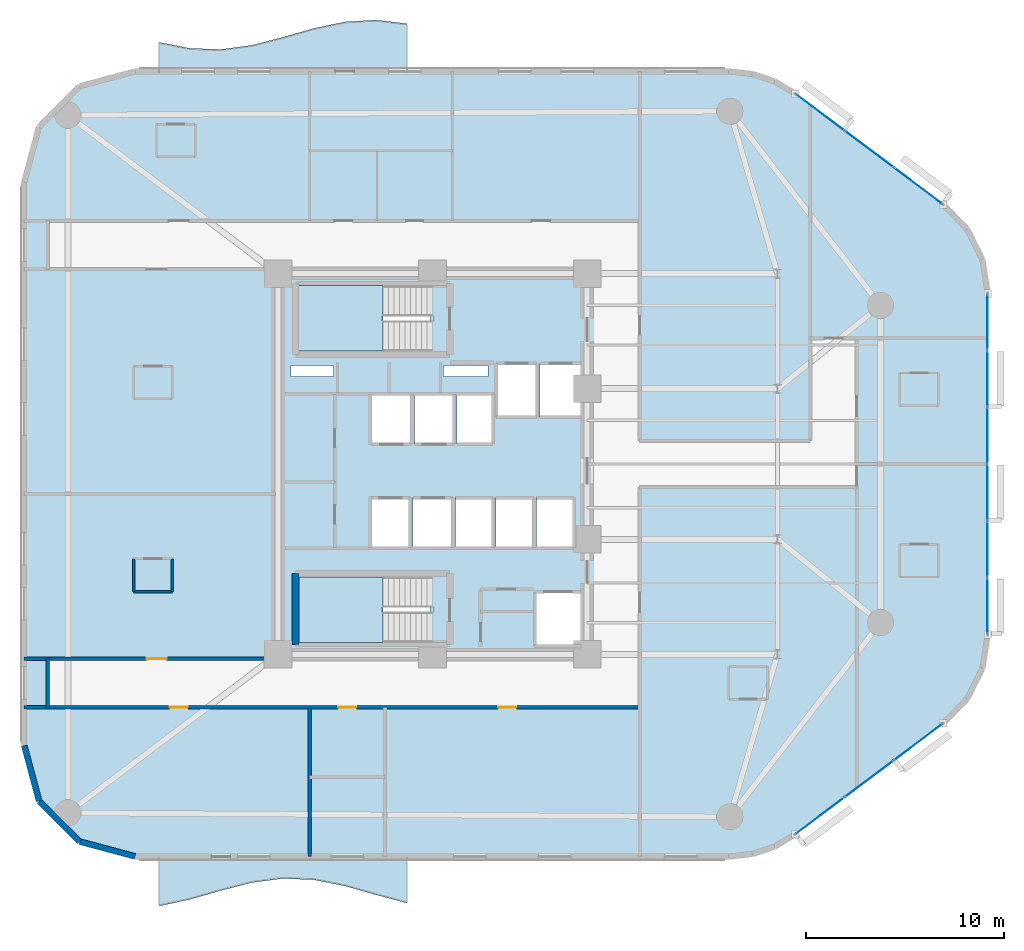
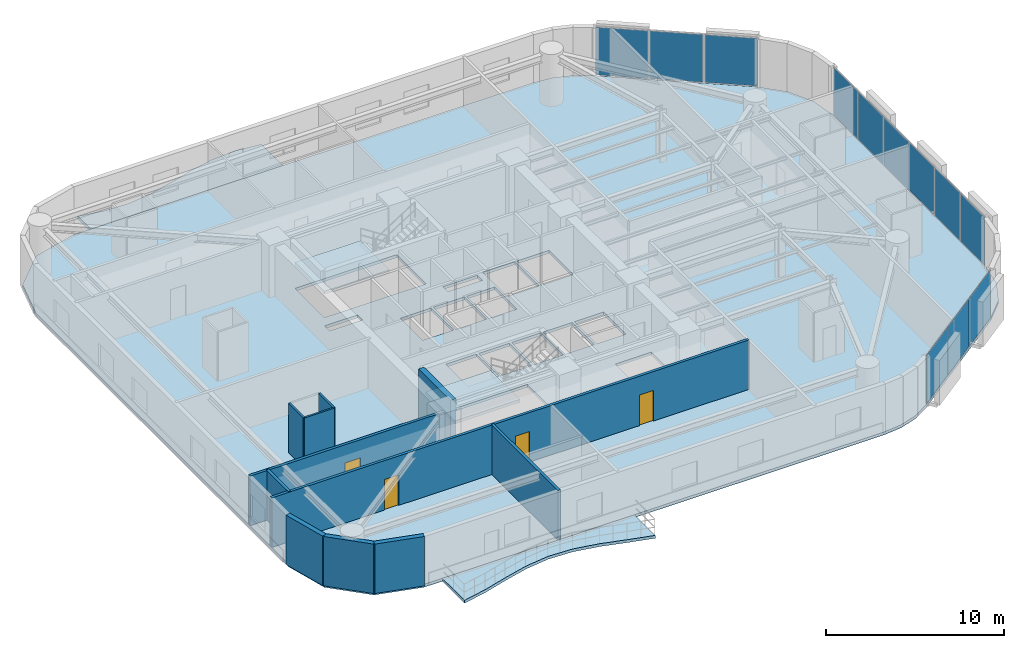
# One storey, part 9 of 16: 12 plates, 11 walls, 5 slabs, 4 doors, 4 openings, 5 elements without a shape of their own.
"""IFC4 building model written with IfcOpenShell, lengths in metres."""

import ifcopenshell
import ifcopenshell.guid

model = None  # the IFC model being written
_history = None  # IfcOwnerHistory: only IFC2X3 demands one
_inside = {}  # id of a spatial element -> (the spatial element, [elements in it])
_under = {}  # id of a project, library or spatial element -> (it, [spatial elements below it])
_declared = {}  # id of a project -> (the project, [libraries it declares])
_typed = {}  # id of a type object -> (the type object, [elements of that type])
_made_of = {}  # id of a material, layer set ... -> (it, [elements and type objects made of it])


def new_model(schema):
    """Start an empty IFC model of exactly this schema.

    Asked for "IFC4X3", IfcOpenShell would pick the latest addendum, in which some entities
    have other attributes; the version numbers below select the first issue.
    IFC2X3 requires an IfcOwnerHistory on every rooted entity: one is made here for all.
    """
    global model, _history
    if schema == "IFC4X3":
        model = ifcopenshell.file(schema_version=(4, 3, 0, 0))
    else:
        model = ifcopenshell.file(schema=schema)
    _inside.clear()
    _under.clear()
    _declared.clear()
    _typed.clear()
    _made_of.clear()
    _history = None
    if model.schema == "IFC2X3":
        org = make("IfcOrganization", Name="unknown")
        user = make(
            "IfcPersonAndOrganization",
            ThePerson=make("IfcPerson", FamilyName="unknown"),
            TheOrganization=org,
        )
        app = make(
            "IfcApplication",
            ApplicationDeveloper=org,
            Version="unknown",
            ApplicationFullName="unknown",
            ApplicationIdentifier="unknown",
        )
        _history = make(
            "IfcOwnerHistory",
            OwningUser=user,
            OwningApplication=app,
            ChangeAction="ADDED",
            CreationDate=0,
        )
    return model


def make(cls, **values):
    """One entity of the class cls with the attributes given. An attribute that is None is left unset."""
    return model.create_entity(
        cls, **{name: value for name, value in values.items() if value is not None}
    )


def rooted(cls, **values):
    """An entity with a GlobalId (a new one), such as an element, a storey or a relation."""
    return make(cls, GlobalId=ifcopenshell.guid.new(), OwnerHistory=_history, **values)


def si_unit(unit_type, name, prefix=None):
    """IfcSIUnit, for example si_unit("LENGTHUNIT", "METRE", prefix="MILLI")."""
    return make("IfcSIUnit", UnitType=unit_type, Prefix=prefix, Name=name)


def assignment(units):
    """IfcUnitAssignment: the units of a project."""
    return None if units is None else make("IfcUnitAssignment", Units=units)


def point(xyz):
    """IfcCartesianPoint."""
    return None if xyz is None else make("IfcCartesianPoint", Coordinates=xyz)


def direction(xyz):
    """IfcDirection."""
    return None if xyz is None else make("IfcDirection", DirectionRatios=xyz)


def frame(location, z_axis=None, x_axis=None):
    """IfcAxis2Placement3D, a coordinate frame: its origin and axes. An axis left out is left unset."""
    return make(
        "IfcAxis2Placement3D",
        Location=point(location),
        Axis=direction(z_axis),
        RefDirection=direction(x_axis),
    )


def frame_2d(location, x_axis=None):
    """IfcAxis2Placement2D, a coordinate frame in the plane: its origin and x axis."""
    return make(
        "IfcAxis2Placement2D", Location=point(location), RefDirection=direction(x_axis)
    )


def origin():
    """The frame at (0, 0, 0) with its axes left unset."""
    return frame((0.0, 0.0, 0.0))


def origin_2d():
    """The frame at (0, 0) in the plane with its x axis left unset."""
    return frame_2d((0.0, 0.0))


def place(relative_to, where):
    """IfcLocalPlacement: puts the frame where relative to a parent placement (None: the world)."""
    return make(
        "IfcLocalPlacement", PlacementRelTo=relative_to, RelativePlacement=where
    )


def context(
    kind, dimensions, precision=None, world=None, true_north=None, identifier=None
):
    """IfcGeometricRepresentationContext, for example the 3D "Model" context."""
    return make(
        "IfcGeometricRepresentationContext",
        ContextIdentifier=identifier,
        ContextType=kind,
        CoordinateSpaceDimension=dimensions,
        Precision=precision,
        WorldCoordinateSystem=world,
        TrueNorth=true_north,
    )


def subcontext(parent, identifier, kind, view, scale=None):
    """IfcGeometricRepresentationSubContext, for example "Body" below "Model"."""
    return make(
        "IfcGeometricRepresentationSubContext",
        ContextIdentifier=identifier,
        ContextType=kind,
        ParentContext=parent,
        TargetScale=scale,
        TargetView=view,
    )


def project(units=None, contexts=None):
    """IfcProject with its units and contexts."""
    return rooted(
        "IfcProject",
        Name="project",
        RepresentationContexts=contexts,
        UnitsInContext=assignment(units),
    )


def spatial(cls, under=None, at=None, **own):
    """A site, building, storey or space (cls), placed at a placement, below another one or the project."""
    s = rooted(cls, ObjectPlacement=at, **own)
    if under is not None:
        _under.setdefault(under.id(), (under, []))[1].append(s)
    return s


def polyline(points):
    """IfcPolyline through the points."""
    return make("IfcPolyline", Points=[point(p) for p in points])


def profile(cls, at=None, kind="AREA", **sizes):
    """A parametric profile (cls). Its sizes go by their IFC names, for example OverallWidth=200.0."""
    return make(cls, ProfileType=kind, Position=at, **sizes)


def rectangle(**sizes):
    """IfcRectangleProfileDef."""
    return profile("IfcRectangleProfileDef", **sizes)


def outline(outer, holes=None, kind="AREA"):
    """IfcArbitraryClosedProfileDef: a profile drawn as a closed curve; with holes, ...WithVoids."""
    if holes is None:
        return make("IfcArbitraryClosedProfileDef", ProfileType=kind, OuterCurve=outer)
    return make(
        "IfcArbitraryProfileDefWithVoids",
        ProfileType=kind,
        OuterCurve=outer,
        InnerCurves=holes,
    )


def extrude(swept, where, along, depth):
    """IfcExtrudedAreaSolid: the profile swept, set in the frame where, extruded along a direction by depth."""
    return make(
        "IfcExtrudedAreaSolid",
        SweptArea=swept,
        Position=where,
        ExtrudedDirection=direction(along),
        Depth=depth,
    )


def shape(context_of_items, identifier, shape_type, items):
    """IfcShapeRepresentation: the items that make up one representation, for example the "Body"."""
    return make(
        "IfcShapeRepresentation",
        ContextOfItems=context_of_items,
        RepresentationIdentifier=identifier,
        RepresentationType=shape_type,
        Items=items,
    )


def material(Name=None, Category=None):
    """IfcMaterial."""
    return make("IfcMaterial", Name=Name, Category=Category)


def layer(
    of_material, thickness, ventilated=None, Name=None, Category=None, Priority=None
):
    """IfcMaterialLayer: one layer of a wall or slab, of a material (None: an air gap)."""
    return make(
        "IfcMaterialLayer",
        Material=of_material,
        LayerThickness=thickness,
        IsVentilated=ventilated,
        Name=Name,
        Category=Category,
        Priority=Priority,
    )


def layer_set(layers, Name=None):
    """IfcMaterialLayerSet."""
    return make("IfcMaterialLayerSet", MaterialLayers=layers, LayerSetName=Name)


def made_of(thing, what):
    """Note that an element or type object is made of a material, layer set ...; save() writes the relation."""
    if what is not None:
        _made_of.setdefault(what.id(), (what, []))[1].append(thing)
    return thing


def type_object(cls, material=None, **own):
    """A type object (cls), such as IfcWallType, which elements share."""
    return made_of(rooted(cls, **own), material)


def element(
    cls,
    number,
    at=None,
    inside=None,
    cuts=None,
    type_object=None,
    material=None,
    context=None,
    identifier="Body",
    shape_type=None,
    held_by="IfcProductDefinitionShape",
    body=None,
    shapes=None,
    **own,
):
    """One element of the class cls, such as IfcWall. Its Tag is "e" and its number.

    at: its placement. inside: the storey or other place that contains it. cuts: it is an
    opening in that element (IfcRelVoidsElement). A single representation is given by context,
    identifier, shape_type and body (its items); several are given by shapes. held_by: the class
    of the entity that holds the representations. save() writes the other relations.
    """
    e = rooted(cls, Tag="e%d" % number, ObjectPlacement=at, **own)
    if body is not None:
        shapes = [shape(context, identifier, shape_type, body)]
    if shapes is not None:
        e.Representation = make(held_by, Representations=shapes)
    if inside is not None:
        _inside.setdefault(inside.id(), (inside, []))[1].append(e)
    if cuts is not None:
        rooted(
            "IfcRelVoidsElement", RelatingBuildingElement=cuts, RelatedOpeningElement=e
        )
    if type_object is not None:
        _typed.setdefault(type_object.id(), (type_object, []))[1].append(e)
    return made_of(e, material)


def fill(opening, filler):
    """IfcRelFillsElement: the door or window that sits in an opening."""
    return rooted(
        "IfcRelFillsElement",
        RelatingOpeningElement=opening,
        RelatedBuildingElement=filler,
    )


def aggregate(whole, parts):
    """IfcRelAggregates: a whole, such as a stair, and the parts it consists of."""
    return rooted("IfcRelAggregates", RelatingObject=whole, RelatedObjects=parts)


def save(model, path):
    """Write the relations noted so far, then the file.

    IfcRelAggregates (storeys below a building ...), IfcRelContainedInSpatialStructure (elements
    in a storey), IfcRelDefinesByType, IfcRelAssociatesMaterial and IfcRelDeclares: one each for
    every whole, place, type object, material and project.
    """
    for whole, parts in _under.values():
        aggregate(whole, parts)
    for where, things in _inside.values():
        rooted(
            "IfcRelContainedInSpatialStructure",
            RelatedElements=things,
            RelatingStructure=where,
        )
    for kind, things in _typed.values():
        rooted("IfcRelDefinesByType", RelatedObjects=things, RelatingType=kind)
    for what, things in _made_of.values():
        rooted("IfcRelAssociatesMaterial", RelatedObjects=things, RelatingMaterial=what)
    for by, libraries in _declared.values():
        rooted("IfcRelDeclares", RelatingContext=by, RelatedDefinitions=libraries)
    model.write(path)


model = new_model("IFC4")

# Units and contexts
model_context = context("Model", 3, precision=1e-05, world=origin(), true_north=direction((0.0, 1.0)))
body_context = subcontext(model_context, "Body", "Model", "MODEL_VIEW")
ifc_project = project(units=[si_unit("LENGTHUNIT", "METRE"), si_unit("AREAUNIT", "SQUARE_METRE"), si_unit("VOLUMEUNIT", "CUBIC_METRE"), si_unit("PLANEANGLEUNIT", "RADIAN"), si_unit("MASSUNIT", "GRAM", prefix="KILO")], contexts=[model_context])

# Site, building, storey
site_placement = place(None, origin())
site = spatial("IfcSite", under=ifc_project, at=site_placement, CompositionType="ELEMENT")
building_placement = place(site_placement, origin())
building = spatial("IfcBuilding", under=site, at=building_placement, Name="An Khanh Terracotta Commons", CompositionType="ELEMENT")
storey_placement = place(building_placement, frame((0.0, 0.0, 100.699951171875)))
storey = spatial("IfcBuildingStorey", under=building, at=storey_placement, Name="L26", CompositionType="ELEMENT", Elevation=100.699951171875)

# Curtain wall, plates
ifc_material_1 = material(Name="Anodised Aluminium 6063-T6", Category="aluminium")
ifc_layer_1 = layer(ifc_material_1, 0.199951171875, Name="Anodised Aluminium 6063-T6")
ifc_layer_set_1 = layer_set([ifc_layer_1], Name="Anodised Aluminium 6063-T6")
curtain_wall_type = type_object("IfcCurtainWallType", Name="CW-SYS-02", PredefinedType="USERDEFINED", material=ifc_layer_set_1)
curtain_wall_1_placement = place(storey_placement, origin())
curtain_wall_1 = element("IfcCurtainWall", 1, at=curtain_wall_1_placement, inside=storey, type_object=curtain_wall_type, Name="L26 CW-02 Unitised Curtain Wall CW-L26-08", ObjectType="UNITISED CURTAIN WALL", PredefinedType="USERDEFINED")
ifc_material_2 = material(Name="Double Low-E Solar Control Glazing", Category="glass")
ifc_layer_2 = layer(ifc_material_2, 0.028076171875, Name="Double Low-E Solar Control Glazing")
ifc_layer_set_2 = layer_set([ifc_layer_2], Name="Double Low-E Solar Control Glazing")
plate_type = type_object("IfcPlateType", Name="CWP-IGU-28", PredefinedType="CURTAIN_PANEL", material=ifc_layer_set_2)
plate_1_placement = place(storey_placement, frame((48.951416015625, 6.263916015625, 0.06005859375), z_axis=(0.0, 0.0, 1.0), x_axis=(0.800012856594, 0.599982857492, 0.0)))
plate_1 = element("IfcPlate", 2, at=plate_1_placement, type_object=plate_type, Name="CW-02 panel 1.1", PredefinedType="CURTAIN_PANEL", context=body_context, shape_type="SweptSolid", body=[
    extrude(rectangle(XDim=3.006103515625, YDim=0.028076171875, at=origin_2d()), origin(), (0.0, 0.0, 1.0), 3.280029296875),
])
plate_2_placement = place(storey_placement, frame((51.426513671875, 8.1201171875, 0.06005859375), z_axis=(0.0, 0.0, 1.0), x_axis=(0.800012856594, 0.599982857492, 0.0)))
plate_2 = element("IfcPlate", 3, at=plate_2_placement, type_object=plate_type, Name="CW-02 panel 2.1", PredefinedType="CURTAIN_PANEL", context=body_context, shape_type="SweptSolid", body=[
    extrude(rectangle(XDim=3.041259765625, YDim=0.028076171875, at=origin_2d()), origin(), (0.0, 0.0, 1.0), 3.280029296875),
])
plate_3_placement = place(storey_placement, frame((53.901611328125, 9.97607421875, 0.06005859375), z_axis=(0.0, 0.0, 1.0), x_axis=(0.800012856594, 0.599982857492, 0.0)))
plate_3 = element("IfcPlate", 4, at=plate_3_placement, type_object=plate_type, Name="CW-02 panel 3.1", PredefinedType="CURTAIN_PANEL", context=body_context, shape_type="SweptSolid", body=[
    extrude(rectangle(XDim=3.006103515625, YDim=0.028076171875, at=origin_2d()), origin(), (0.0, 0.0, 1.0), 3.280029296875),
])
aggregate(curtain_wall_1, [plate_1, plate_2, plate_3])

curtain_wall_2_placement = place(storey_placement, origin())
curtain_wall_2 = element("IfcCurtainWall", 5, at=curtain_wall_2_placement, inside=storey, type_object=curtain_wall_type, Name="L26 CW-02 Unitised Curtain Wall CW-L26-12", ObjectType="UNITISED CURTAIN WALL", PredefinedType="USERDEFINED")
plate_4_placement = place(storey_placement, frame((57.39990234375, 16.850830078125, 0.06005859375), z_axis=(0.0, 0.0, 1.0), x_axis=(0.0, 1.0, 0.0)))
plate_4 = element("IfcPlate", 6, at=plate_4_placement, type_object=plate_type, Name="CW-02 panel 1.1", PredefinedType="CURTAIN_PANEL", context=body_context, shape_type="SweptSolid", body=[
    extrude(rectangle(XDim=2.76171875, YDim=0.028076171875, at=origin_2d()), origin(), (0.0, 0.0, 1.0), 3.280029296875),
])
plate_5_placement = place(storey_placement, frame((57.39990234375, 19.699951171875, 0.06005859375), z_axis=(0.0, 0.0, 1.0), x_axis=(0.0, 1.0, 0.0)))
plate_5 = element("IfcPlate", 7, at=plate_5_placement, type_object=plate_type, Name="CW-02 panel 2.1", PredefinedType="CURTAIN_PANEL", context=body_context, shape_type="SweptSolid", body=[
    extrude(rectangle(XDim=2.796630859375, YDim=0.028076171875, at=origin_2d()), origin(), (0.0, 0.0, 1.0), 3.280029296875),
])
plate_6_placement = place(storey_placement, frame((57.39990234375, 22.566650390625, 0.06005859375), z_axis=(0.0, 0.0, 1.0), x_axis=(0.0, 1.0, 0.0)))
plate_6 = element("IfcPlate", 8, at=plate_6_placement, type_object=plate_type, Name="CW-02 panel 3.1", PredefinedType="CURTAIN_PANEL", context=body_context, shape_type="SweptSolid", body=[
    extrude(rectangle(XDim=2.796630859375, YDim=0.028076171875, at=origin_2d()), origin(), (0.0, 0.0, 1.0), 3.280029296875),
])
plate_7_placement = place(storey_placement, frame((57.39990234375, 25.433349609375, 0.06005859375), z_axis=(0.0, 0.0, 1.0), x_axis=(0.0, 1.0, 0.0)))
plate_7 = element("IfcPlate", 9, at=plate_7_placement, type_object=plate_type, Name="CW-02 panel 4.1", PredefinedType="CURTAIN_PANEL", context=body_context, shape_type="SweptSolid", body=[
    extrude(rectangle(XDim=2.796630859375, YDim=0.028076171875, at=origin_2d()), origin(), (0.0, 0.0, 1.0), 3.280029296875),
])
plate_8_placement = place(storey_placement, frame((57.39990234375, 28.300048828125, 0.06005859375), z_axis=(0.0, 0.0, 1.0), x_axis=(0.0, 1.0, 0.0)))
plate_8 = element("IfcPlate", 10, at=plate_8_placement, type_object=plate_type, Name="CW-02 panel 5.1", PredefinedType="CURTAIN_PANEL", context=body_context, shape_type="SweptSolid", body=[
    extrude(rectangle(XDim=2.796630859375, YDim=0.028076171875, at=origin_2d()), origin(), (0.0, 0.0, 1.0), 3.280029296875),
])
plate_9_placement = place(storey_placement, frame((57.39990234375, 31.149169921875, 0.06005859375), z_axis=(0.0, 0.0, 1.0), x_axis=(0.0, 1.0, 0.0)))
plate_9 = element("IfcPlate", 11, at=plate_9_placement, type_object=plate_type, Name="CW-02 panel 6.1", PredefinedType="CURTAIN_PANEL", context=body_context, shape_type="SweptSolid", body=[
    extrude(rectangle(XDim=2.76171875, YDim=0.028076171875, at=origin_2d()), origin(), (0.0, 0.0, 1.0), 3.280029296875),
])
aggregate(curtain_wall_2, [plate_4, plate_5, plate_6, plate_7, plate_8, plate_9])

curtain_wall_3_placement = place(storey_placement, origin())
curtain_wall_3 = element("IfcCurtainWall", 12, at=curtain_wall_3_placement, inside=storey, type_object=curtain_wall_type, Name="L26 CW-02 Unitised Curtain Wall CW-L26-16", ObjectType="UNITISED CURTAIN WALL", PredefinedType="USERDEFINED")
plate_10_placement = place(storey_placement, frame((53.901611328125, 38.02392578125, 0.06005859375), z_axis=(0.0, 0.0, 1.0), x_axis=(-0.800012856594, 0.599982857492, 0.0)))
plate_10 = element("IfcPlate", 13, at=plate_10_placement, type_object=plate_type, Name="CW-02 panel 1.1", PredefinedType="CURTAIN_PANEL", context=body_context, shape_type="SweptSolid", body=[
    extrude(rectangle(XDim=3.006103515625, YDim=0.028076171875, at=origin_2d()), origin(), (0.0, 0.0, 1.0), 3.280029296875),
])
plate_11_placement = place(storey_placement, frame((51.426513671875, 39.8798828125, 0.06005859375), z_axis=(0.0, 0.0, 1.0), x_axis=(-0.800012856594, 0.599982857492, 0.0)))
plate_11 = element("IfcPlate", 14, at=plate_11_placement, type_object=plate_type, Name="CW-02 panel 2.1", PredefinedType="CURTAIN_PANEL", context=body_context, shape_type="SweptSolid", body=[
    extrude(rectangle(XDim=3.041259765625, YDim=0.028076171875, at=origin_2d()), origin(), (0.0, 0.0, 1.0), 3.280029296875),
])
plate_12_placement = place(storey_placement, frame((48.951416015625, 41.736083984375, 0.06005859375), z_axis=(0.0, 0.0, 1.0), x_axis=(-0.800012856594, 0.599982857492, 0.0)))
plate_12 = element("IfcPlate", 15, at=plate_12_placement, type_object=plate_type, Name="CW-02 panel 3.1", PredefinedType="CURTAIN_PANEL", context=body_context, shape_type="SweptSolid", body=[
    extrude(rectangle(XDim=3.006103515625, YDim=0.028076171875, at=origin_2d()), origin(), (0.0, 0.0, 1.0), 3.280029296875),
])
aggregate(curtain_wall_3, [plate_10, plate_11, plate_12])

# Slabs
ifc_material_3 = material(Name="Concrete C40/50", Category="concrete")
ifc_layer_3 = layer(ifc_material_3, 0.199951171875, Name="Concrete C40/50")
ifc_layer_set_3 = layer_set([ifc_layer_3], Name="Concrete C40/50")
slab_type_1 = type_object("IfcSlabType", Name="SLAB-BALC-200", PredefinedType="FLOOR", material=ifc_layer_set_3)
slab_1_placement = place(storey_placement, frame((0.0, 0.0, -0.199951171875)))
element("IfcSlab", 16, at=slab_1_placement, inside=storey, type_object=slab_type_1, Name="L26 S Sinusoidal Wave Balcony Slab", PredefinedType="FLOOR", context=body_context, shape_type="SweptSolid", body=[
    extrude(outline(polyline([(15.60009765625, 4.199951171875), (15.60009765625, 1.699951171875), (17.1630859375, 2.034912109375), (18.72509765625, 2.48388671875), (20.2880859375, 2.885009765625), (21.85009765625, 3.090087890625), (23.4130859375, 3.02490234375), (24.97509765625, 2.714111328125), (26.5380859375, 2.27001953125), (28.10009765625, 1.85498046875), (28.10009765625, 4.199951171875), (15.60009765625, 4.199951171875)])), origin(), (0.0, 0.0, 1.0), 0.199951171875),
])
slab_2_placement = place(storey_placement, frame((0.0, 0.0, -0.199951171875)))
element("IfcSlab", 17, at=slab_2_placement, inside=storey, type_object=slab_type_1, Name="L26 N Sinusoidal Wave Balcony Slab", PredefinedType="FLOOR", context=body_context, shape_type="SweptSolid", body=[
    extrude(outline(polyline([(28.10009765625, 43.800048828125), (28.10009765625, 46.214111328125), (26.5380859375, 46.39599609375), (24.97509765625, 46.305908203125), (23.4130859375, 45.97607421875), (21.85009765625, 45.528076171875), (20.2880859375, 45.1240234375), (18.72509765625, 44.912109375), (17.1630859375, 44.968994140625), (15.60009765625, 45.27490234375), (15.60009765625, 43.800048828125), (28.10009765625, 43.800048828125)])), origin(), (0.0, 0.0, 1.0), 0.199951171875),
])

# Stair, slab
ifc_material_4 = material(Name="Precast concrete C40/50", Category="concrete")
stair_type = type_object("IfcStairType", Name="STAIR-CORE-1550", PredefinedType="HALF_TURN_STAIR", material=ifc_material_4)
stair_1_placement = place(storey_placement, origin())
stair_1 = element("IfcStair", 18, at=stair_1_placement, inside=storey, type_object=stair_type, Name="L26 Core Smokeproof Exit Stair ST-01", PredefinedType="HALF_TURN_STAIR")
ifc_layer_4 = layer(ifc_material_3, 0.18994140625, Name="Concrete C40/50")
ifc_layer_set_4 = layer_set([ifc_layer_4], Name="Concrete C40/50")
slab_type_2 = type_object("IfcSlabType", Name="SLAB-LANDING-190", PredefinedType="LANDING", material=ifc_layer_set_4)
slab_3_placement = place(storey_placement, frame((0.0, 0.0, 1.60009765625)))
slab_3 = element("IfcSlab", 19, at=slab_3_placement, type_object=slab_type_2, Name="ST-01 landing 1", PredefinedType="LANDING", context=body_context, shape_type="SweptSolid", body=[
    extrude(outline(polyline([(26.889892578125, 33.0), (22.64990234375, 33.0), (22.64990234375, 29.699951171875), (26.889892578125, 29.699951171875), (26.889892578125, 33.0)])), origin(), (0.0, 0.0, 1.0), 0.199951171875),
])
aggregate(stair_1, [slab_3])

stair_2_placement = place(storey_placement, origin())
stair_2 = element("IfcStair", 20, at=stair_2_placement, inside=storey, type_object=stair_type, Name="L26 Core Smokeproof Exit Stair ST-02", PredefinedType="HALF_TURN_STAIR")
slab_4_placement = place(storey_placement, frame((0.0, 0.0, 1.60009765625)))
slab_4 = element("IfcSlab", 21, at=slab_4_placement, type_object=slab_type_2, Name="ST-02 landing 1", PredefinedType="LANDING", context=body_context, shape_type="SweptSolid", body=[
    extrude(outline(polyline([(26.889892578125, 18.300048828125), (22.64990234375, 18.300048828125), (22.64990234375, 15.0), (26.889892578125, 15.0), (26.889892578125, 18.300048828125)])), origin(), (0.0, 0.0, 1.0), 0.199951171875),
])
aggregate(stair_2, [slab_4])

# Slab
ifc_layer_5 = layer(ifc_material_3, 0.199951171875, Name="Concrete C40/50")
ifc_layer_set_5 = layer_set([ifc_layer_5], Name="Concrete C40/50")
slab_type_3 = type_object("IfcSlabType", Name="SLAB-TYP-200", PredefinedType="FLOOR", material=ifc_layer_set_5)
slab_5_placement = place(storey_placement, frame((0.0, 0.0, -0.199951171875)))
element("IfcSlab", 22, at=slab_5_placement, inside=storey, type_object=slab_type_3, Name="L26 Structural Floor Slab", PredefinedType="FLOOR", context=body_context, shape_type="SweptSolid", body=[
    extrude(outline(polyline([(8.800048828125, 9.800048828125), (9.550048828125, 7.0), (11.60009765625, 4.949951171875), (14.39990234375, 4.199951171875), (44.3330078125, 4.199951171875), (45.52490234375, 4.327880859375), (46.6630859375, 4.70703125), (47.693115234375, 5.320068359375), (55.159912109375, 10.919921875), (56.364013671875, 12.154052734375), (57.135009765625, 13.696044921875), (57.39990234375, 15.39990234375), (57.39990234375, 32.60009765625), (57.135009765625, 34.303955078125), (56.364013671875, 35.845947265625), (55.159912109375, 37.080078125), (47.693115234375, 42.679931640625), (46.6630859375, 43.29296875), (45.52490234375, 43.672119140625), (44.3330078125, 43.800048828125), (14.39990234375, 43.800048828125), (11.60009765625, 43.050048828125), (9.550048828125, 41.0), (8.800048828125, 38.199951171875), (8.800048828125, 9.800048828125)]), holes=[polyline([(22.64990234375, 29.699951171875), (29.27001953125, 29.699951171875), (29.27001953125, 33.0), (22.64990234375, 33.0), (22.64990234375, 29.699951171875)]), polyline([(22.64990234375, 15.0), (29.27001953125, 15.0), (29.27001953125, 18.300048828125), (22.64990234375, 18.300048828125), (22.64990234375, 15.0)]), polyline([(32.60009765625, 26.35009765625), (34.679931640625, 26.35009765625), (34.679931640625, 29.080078125), (32.60009765625, 29.080078125), (32.60009765625, 26.35009765625)]), polyline([(34.820068359375, 26.35009765625), (36.89990234375, 26.35009765625), (36.89990234375, 29.080078125), (34.820068359375, 29.080078125), (34.820068359375, 26.35009765625)]), polyline([(34.550048828125, 14.800048828125), (36.89990234375, 14.800048828125), (36.89990234375, 17.550048828125), (34.550048828125, 17.550048828125), (34.550048828125, 14.800048828125)]), polyline([(26.320068359375, 25.0), (28.340087890625, 25.0), (28.340087890625, 27.5), (26.320068359375, 27.5), (26.320068359375, 25.0)]), polyline([(28.47998046875, 25.0), (30.5, 25.0), (30.5, 27.5), (28.47998046875, 27.5), (28.47998046875, 25.0)]), polyline([(26.280029296875, 19.800048828125), (28.280029296875, 19.800048828125), (28.280029296875, 22.300048828125), (26.280029296875, 22.300048828125), (26.280029296875, 19.800048828125)]), polyline([(28.419921875, 19.800048828125), (30.419921875, 19.800048828125), (30.419921875, 22.300048828125), (28.419921875, 22.300048828125), (28.419921875, 19.800048828125)]), polyline([(30.639892578125, 25.0), (32.4599609375, 25.0), (32.4599609375, 27.5), (30.639892578125, 27.5), (30.639892578125, 25.0)]), polyline([(30.56005859375, 19.800048828125), (32.4599609375, 19.800048828125), (32.4599609375, 22.300048828125), (30.56005859375, 22.300048828125), (30.56005859375, 19.800048828125)]), polyline([(32.60009765625, 19.800048828125), (34.5, 19.800048828125), (34.5, 22.300048828125), (32.60009765625, 22.300048828125), (32.60009765625, 19.800048828125)]), polyline([(34.639892578125, 19.800048828125), (36.5400390625, 19.800048828125), (36.5400390625, 22.300048828125), (34.639892578125, 22.300048828125), (34.639892578125, 19.800048828125)]), polyline([(22.25, 28.419921875), (24.39990234375, 28.419921875), (24.39990234375, 28.97998046875), (22.25, 28.97998046875), (22.25, 28.419921875)]), polyline([(29.949951171875, 28.419921875), (32.199951171875, 28.419921875), (32.199951171875, 28.97998046875), (29.949951171875, 28.97998046875), (29.949951171875, 28.419921875)])]), origin(), (0.0, 0.0, 1.0), 0.199951171875),
])

# Wall, openings, doors
ifc_material_5 = material(Name="Fire-Rated Gypsum Board on Steel Stud", Category="steel")
ifc_layer_6 = layer(ifc_material_5, 0.179931640625, Name="Fire-Rated Gypsum Board on Steel Stud")
ifc_layer_set_6 = layer_set([ifc_layer_6], Name="Fire-Rated Gypsum Board on Steel Stud")
wall_type_1 = type_object("IfcWallType", Name="WALL-CORR-180", PredefinedType="PARTITIONING", material=ifc_layer_set_6)
wall_1_placement = place(storey_placement, frame((8.800048828125, 11.719970703125, 0.0), z_axis=(0.0, 0.0, 1.0), x_axis=(1.0, 0.0, 0.0)))
wall_1 = element("IfcWall", 23, at=wall_1_placement, inside=storey, type_object=wall_type_1, Name="L26 Interior Partition IW-L26-E002", PredefinedType="PARTITIONING", context=body_context, shape_type="SweptSolid", body=[
    extrude(rectangle(XDim=31.050048828125, YDim=0.179931640625, at=frame_2d((15.52490234375, 0.0))), origin(), (0.0, 0.0, 1.0), 3.400146484375),
])
opening_1_placement = place(wall_1_placement, frame((15.840087890625, 0.0, 0.0)))
opening_1 = element("IfcOpeningElement", 24, at=opening_1_placement, cuts=wall_1, Name="Opening D-RM", PredefinedType="OPENING", context=body_context, shape_type="SweptSolid", body=[
    extrude(rectangle(XDim=0.919921875, YDim=2.10009765625, at=frame_2d((0.4599609375, 1.050048828125))), frame((0.0, 0.099853515625, 0.0), z_axis=(0.0, -1.0, 0.0), x_axis=(1.0, 0.0, 0.0)), (0.0, 0.0, 1.0), 0.199951171875),
])
opening_2_placement = place(wall_1_placement, frame((7.340087890625, 0.0, 0.0)))
opening_2 = element("IfcOpeningElement", 25, at=opening_2_placement, cuts=wall_1, Name="Opening D-RM", PredefinedType="OPENING", context=body_context, shape_type="SweptSolid", body=[
    extrude(rectangle(XDim=0.919921875, YDim=2.10009765625, at=frame_2d((0.4599609375, 1.050048828125))), frame((0.0, 0.099853515625, 0.0), z_axis=(0.0, -1.0, 0.0), x_axis=(1.0, 0.0, 0.0)), (0.0, 0.0, 1.0), 0.199951171875),
])
opening_3_placement = place(wall_1_placement, frame((23.905029296875, 0.0, 0.0)))
opening_3 = element("IfcOpeningElement", 26, at=opening_3_placement, cuts=wall_1, Name="Opening D-RM", PredefinedType="OPENING", context=body_context, shape_type="SweptSolid", body=[
    extrude(rectangle(XDim=0.919921875, YDim=2.10009765625, at=frame_2d((0.4599609375, 1.050048828125))), frame((0.0, 0.099853515625, 0.0), z_axis=(0.0, -1.0, 0.0), x_axis=(1.0, 0.0, 0.0)), (0.0, 0.0, 1.0), 0.199951171875),
])
ifc_material_6 = material(Name="Engineered Hardwood Timber Leaf", Category="wood")
door_type_1 = type_object("IfcDoorType", Name="DOOR-INT-920", OperationType="NOTDEFINED", PredefinedType="DOOR", material=ifc_material_6)
door_1_placement = place(opening_1_placement, origin())
door_1 = element("IfcDoor", 27, at=door_1_placement, inside=storey, type_object=door_type_1, Name="L26 HKP Housekeeping Linen Store Door", OperationType="SINGLE_SWING_RIGHT", OverallHeight=2.10009765625, OverallWidth=0.919921875, PredefinedType="DOOR", context=body_context, shape_type="SweptSolid", body=[
    extrude(rectangle(XDim=0.919921875, YDim=2.10009765625, at=frame_2d((0.4599609375, 1.050048828125))), frame((0.0, 0.02490234375, 0.0), z_axis=(0.0, -1.0, 0.0), x_axis=(1.0, 0.0, 0.0)), (0.0, 0.0, 1.0), 0.050048828125),
])
fill(opening_1, door_1)
door_2_placement = place(opening_2_placement, origin())
door_2 = element("IfcDoor", 28, at=door_2_placement, inside=storey, type_object=door_type_1, Name="L26 SW1 Research Study Office Door", OperationType="SINGLE_SWING_RIGHT", OverallHeight=2.10009765625, OverallWidth=0.919921875, PredefinedType="DOOR", context=body_context, shape_type="SweptSolid", body=[
    extrude(rectangle(XDim=0.919921875, YDim=2.10009765625, at=frame_2d((0.4599609375, 1.050048828125))), frame((0.0, 0.02490234375, 0.0), z_axis=(0.0, -1.0, 0.0), x_axis=(1.0, 0.0, 0.0)), (0.0, 0.0, 1.0), 0.050048828125),
])
fill(opening_2, door_2)
door_3_placement = place(opening_3_placement, origin())
door_3 = element("IfcDoor", 29, at=door_3_placement, inside=storey, type_object=door_type_1, Name="L26 SWE Communal Kitchen and Dining Door", OperationType="SINGLE_SWING_LEFT", OverallHeight=2.10009765625, OverallWidth=0.919921875, PredefinedType="DOOR", context=body_context, shape_type="SweptSolid", body=[
    extrude(rectangle(XDim=0.919921875, YDim=2.10009765625, at=frame_2d((0.4599609375, 1.050048828125))), frame((0.0, 0.02490234375, 0.0), z_axis=(0.0, -1.0, 0.0), x_axis=(1.0, 0.0, 0.0)), (0.0, 0.0, 1.0), 0.050048828125),
])
fill(opening_3, door_3)

# Wall, opening, door
wall_2_placement = place(storey_placement, frame((8.800048828125, 14.179931640625, 0.0), z_axis=(0.0, 0.0, 1.0), x_axis=(1.0, 0.0, 0.0)))
wall_2 = element("IfcWall", 30, at=wall_2_placement, inside=storey, type_object=wall_type_1, Name="L26 Interior Partition IW-L26-E003", PredefinedType="PARTITIONING", context=body_context, shape_type="SweptSolid", body=[
    extrude(rectangle(XDim=12.679931640625, YDim=0.179931640625, at=frame_2d((6.33984375, 0.0))), origin(), (0.0, 0.0, 1.0), 3.400146484375),
])
opening_4_placement = place(wall_2_placement, frame((6.179931640625, 0.0, 0.0)))
opening_4 = element("IfcOpeningElement", 31, at=opening_4_placement, cuts=wall_2, Name="Opening D-UN", PredefinedType="OPENING", context=body_context, shape_type="SweptSolid", body=[
    extrude(rectangle(XDim=1.0, YDim=2.14990234375, at=frame_2d((0.5, 1.074951171875))), frame((0.0, 0.099853515625, 0.0), z_axis=(0.0, -1.0, 0.0), x_axis=(1.0, 0.0, 0.0)), (0.0, 0.0, 1.0), 0.199951171875),
])
ifc_material_7 = material(Name="Solid-Core Hardwood Acoustic Fire Door", Category="wood")
door_type_2 = type_object("IfcDoorType", Name="DOOR-UNIT-1000", OperationType="NOTDEFINED", PredefinedType="DOOR", material=ifc_material_7)
door_4_placement = place(opening_4_placement, origin())
door_4 = element("IfcDoor", 32, at=door_4_placement, inside=storey, type_object=door_type_2, Name="L26 WW1 Kitchenette and Studio Apartment Door", OperationType="SINGLE_SWING_RIGHT", OverallHeight=2.14990234375, OverallWidth=1.0, PredefinedType="DOOR", context=body_context, shape_type="SweptSolid", body=[
    extrude(rectangle(XDim=1.0, YDim=2.14990234375, at=frame_2d((0.5, 1.074951171875))), frame((0.0, 0.02490234375, 0.0), z_axis=(0.0, -1.0, 0.0), x_axis=(1.0, 0.0, 0.0)), (0.0, 0.0, 1.0), 0.050048828125),
])
fill(opening_4, door_4)

# Walls
wall_3_placement = place(storey_placement, frame((10.0, 11.719970703125, 0.0), z_axis=(0.0, 0.0, 1.0), x_axis=(0.0, 1.0, 0.0)))
element("IfcWall", 33, at=wall_3_placement, inside=storey, type_object=wall_type_1, Name="L26 Interior Partition IW-L26-E012", PredefinedType="PARTITIONING", context=body_context, shape_type="SweptSolid", body=[
    extrude(rectangle(XDim=2.4599609375, YDim=0.179931640625, at=frame_2d((1.22998046875, 0.0))), origin(), (0.0, 0.0, 1.0), 3.400146484375),
])
wall_4_placement = place(storey_placement, frame((23.199951171875, 4.199951171875, 0.0), z_axis=(0.0, 0.0, 1.0), x_axis=(0.0, 1.0, 0.0)))
element("IfcWall", 34, at=wall_4_placement, inside=storey, type_object=wall_type_1, Name="L26 Interior Partition IW-L26-E014", PredefinedType="PARTITIONING", context=body_context, shape_type="SweptSolid", body=[
    extrude(rectangle(XDim=7.52001953125, YDim=0.179931640625, at=frame_2d((3.760009765625, 0.0))), origin(), (0.0, 0.0, 1.0), 3.400146484375),
])
ifc_layer_7 = layer(ifc_material_4, 0.300048828125, Name="Precast concrete C40/50")
ifc_layer_set_7 = layer_set([ifc_layer_7], Name="Precast concrete C40/50")
wall_type_2 = type_object("IfcWallType", Name="WALL-EXT-300", PredefinedType="SOLIDWALL", material=ifc_layer_set_7)
wall_5_placement = place(storey_placement, frame((8.800048828125, 9.800048828125, 0.0), z_axis=(0.0, 0.0, 1.0), x_axis=(0.258731875344, -0.96594917914, 0.0)))
element("IfcWall", 35, at=wall_5_placement, inside=storey, type_object=wall_type_2, Name="L26 Insulated Terracotta Exterior Wall 1", PredefinedType="SOLIDWALL", context=body_context, shape_type="SweptSolid", body=[
    extrude(rectangle(XDim=2.898681640625, YDim=0.300048828125, at=frame_2d((1.44921875, 0.0))), origin(), (0.0, 0.0, 1.0), 3.400146484375),
])
wall_6_placement = place(storey_placement, frame((9.550048828125, 7.0, 0.0), z_axis=(0.0, 0.0, 1.0), x_axis=(0.707106781187, -0.707106781187, 0.0)))
element("IfcWall", 36, at=wall_6_placement, inside=storey, type_object=wall_type_2, Name="L26 Insulated Terracotta Exterior Wall 2", PredefinedType="SOLIDWALL", context=body_context, shape_type="SweptSolid", body=[
    extrude(rectangle(XDim=2.899169921875, YDim=0.300048828125, at=frame_2d((1.44970703125, 0.0))), origin(), (0.0, 0.0, 1.0), 3.400146484375),
])
wall_7_placement = place(storey_placement, frame((11.60009765625, 4.949951171875, 0.0), z_axis=(0.0, 0.0, 1.0), x_axis=(0.965943540406, -0.258752926066, 0.0)))
element("IfcWall", 37, at=wall_7_placement, inside=storey, type_object=wall_type_2, Name="L26 Insulated Terracotta Exterior Wall 3", PredefinedType="SOLIDWALL", context=body_context, shape_type="SweptSolid", body=[
    extrude(rectangle(XDim=2.8984375, YDim=0.300048828125, at=frame_2d((1.44921875, 0.0))), origin(), (0.0, 0.0, 1.0), 3.400146484375),
])
ifc_material_8 = material(Name="Concrete C50/60", Category="concrete")
ifc_layer_8 = layer(ifc_material_8, 0.35009765625, Name="Concrete C50/60")
ifc_layer_set_8 = layer_set([ifc_layer_8], Name="Concrete C50/60")
wall_type_3 = type_object("IfcWallType", Name="WALL-SHAFT-350", PredefinedType="SOLIDWALL", material=ifc_layer_set_8)
wall_8_placement = place(storey_placement, frame((22.47998046875, 14.889892578125, 0.0), z_axis=(0.0, 0.0, 1.0), x_axis=(0.0, 1.0, 0.0)))
element("IfcWall", 38, at=wall_8_placement, inside=storey, type_object=wall_type_3, Name="L26 Core Wall STW-L26-S-W", PredefinedType="SOLIDWALL", context=body_context, shape_type="SweptSolid", body=[
    extrude(rectangle(XDim=3.580078125, YDim=0.35009765625, at=frame_2d((1.7900390625, 0.0))), origin(), (0.0, 0.0, 1.0), 3.400146484375),
])
ifc_material_9 = material(Name="Moisture-Resistant Cement Board Partition")
ifc_layer_9 = layer(ifc_material_9, 0.1201171875, Name="Moisture-Resistant Cement Board Partition")
ifc_layer_set_9 = layer_set([ifc_layer_9], Name="Moisture-Resistant Cement Board Partition")
wall_type_4 = type_object("IfcWallType", Name="WALL-WET-120", PredefinedType="PARTITIONING", material=ifc_layer_set_9)
wall_9_placement = place(storey_placement, frame((16.27490234375, 17.56494140625, 0.0), z_axis=(0.0, 0.0, 1.0), x_axis=(-1.0, 0.0, 0.0)))
element("IfcWall", 39, at=wall_9_placement, inside=storey, type_object=wall_type_4, Name="L26 Interior Partition IW-L26-WW1-BS", PredefinedType="PARTITIONING", context=body_context, shape_type="SweptSolid", body=[
    extrude(rectangle(XDim=1.949951171875, YDim=0.1201171875, at=frame_2d((0.97509765625, 0.0))), origin(), (0.0, 0.0, 1.0), 3.400146484375),
])
for number, where, z_axis, x_axis, name in (
    (40, (14.324951171875, 19.215087890625, 0.0), (0.0, 0.0, 1.0), (0.0, -1.0, 0.0), "L26 Interior Partition IW-L26-WW1-BW"),
    (41, (16.27490234375, 17.56494140625, 0.0), (0.0, 0.0, 1.0), (0.0, 1.0, 0.0), "L26 Interior Partition IW-L26-WW1-BE"),
):
    element("IfcWall", number, at=place(storey_placement, frame(where, z_axis=z_axis, x_axis=x_axis)), inside=storey, type_object=wall_type_4, Name=name, PredefinedType="PARTITIONING", context=body_context, shape_type="SweptSolid", body=[
        extrude(rectangle(XDim=1.650146484375, YDim=0.1201171875, at=frame_2d((0.8251953125, 0.0))), origin(), (0.0, 0.0, 1.0), 3.400146484375),
    ])

save(model, "model.ifc")
